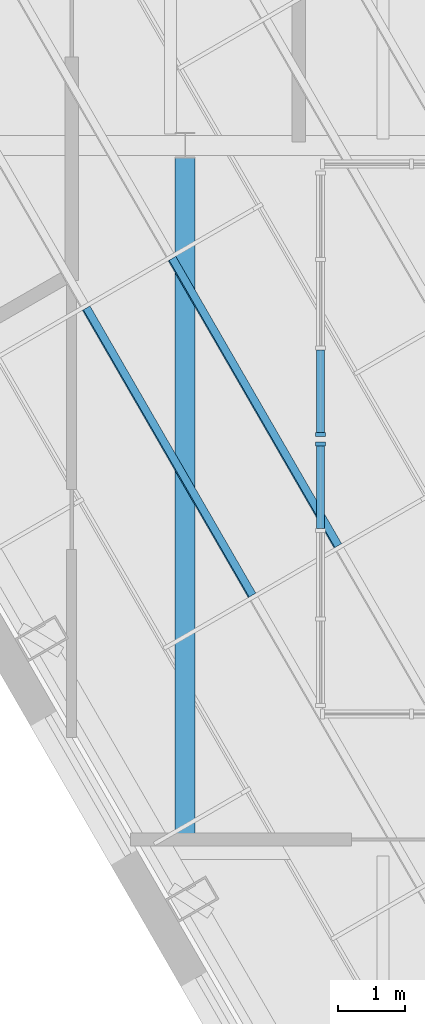
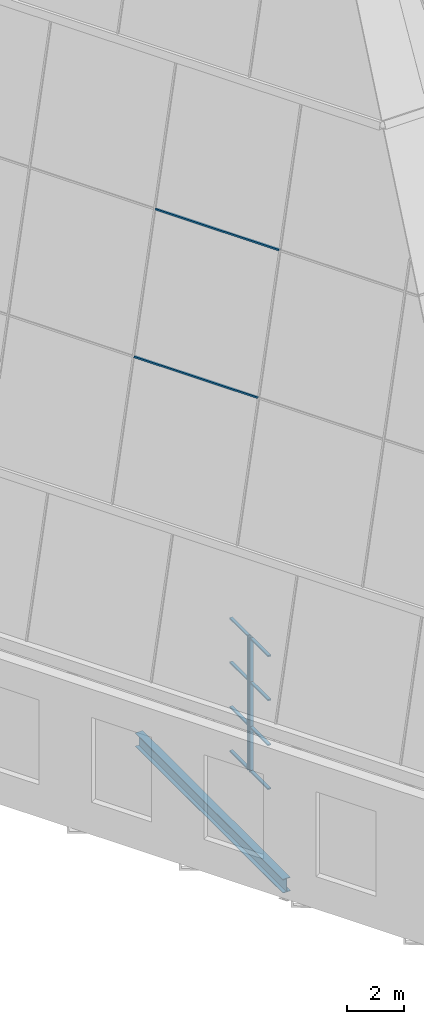
# One storey, part 4 of 36: 12 members, 1 beam, 3 elements without a shape of their own.
"""IFC4 building model written with IfcOpenShell, lengths in metres."""

from ifc_helpers import new_model, si_unit, direction, frame, origin, origin_2d, place, context, subcontext, project, spatial, rectangle, i_section, extrude, material, layer, layer_set, material_profile, profile_set, type_object, element, aggregate, save


model = new_model("IFC4")

# Units and contexts
model_context = context("Model", 3, precision=1e-05, world=origin(), true_north=direction((0.0, 1.0)))
body_context = subcontext(model_context, "Body", "Model", "MODEL_VIEW")
ifc_project = project(units=[si_unit("LENGTHUNIT", "METRE"), si_unit("AREAUNIT", "SQUARE_METRE"), si_unit("VOLUMEUNIT", "CUBIC_METRE"), si_unit("PLANEANGLEUNIT", "RADIAN"), si_unit("MASSUNIT", "GRAM", prefix="KILO")], contexts=[model_context])

# Site, building, storey
site_placement = place(None, origin())
site = spatial("IfcSite", under=ifc_project, at=site_placement, CompositionType="ELEMENT")
building_placement = place(site_placement, origin())
building = spatial("IfcBuilding", under=site, at=building_placement, Name="Njiva Tower", CompositionType="ELEMENT")
storey_placement = place(building_placement, frame((0.0, 0.0, 337.8)))
storey = spatial("IfcBuildingStorey", under=building, at=storey_placement, Name="L77", CompositionType="ELEMENT", Elevation=337.8)

# Beam
ifc_material_1 = material(Name="Steel S355 J2", Category="steel")
ifc_material_profile_1 = material_profile(ifc_material_1, i_section(OverallWidth=0.3, OverallDepth=0.59, WebThickness=0.013, FlangeThickness=0.025, at=origin_2d()), Name="HEA 600")
ifc_profile_set_1 = profile_set([ifc_material_profile_1], Name="Steel S355 J2")
beam_type = type_object("IfcBeamType", Name="B30 Long-span atrium trimmer beam HEA 600", PredefinedType="BEAM", material=ifc_profile_set_1)
beam_placement = place(storey_placement, frame((-6.15, -3.375, -0.495), z_axis=(0.0, -1.0, 0.0), x_axis=(1.0, 0.0, 0.0)))
element("IfcBeam", 1, at=beam_placement, inside=storey, type_object=beam_type, Name="Long-span atrium trimmer beam CR-B051", PredefinedType="BEAM", context=body_context, shape_type="SweptSolid", body=[
    extrude(i_section(OverallWidth=0.3, OverallDepth=0.59, WebThickness=0.013, FlangeThickness=0.025, at=origin_2d()), origin(), (0.0, 0.0, 1.0), 10.275),
])

# Curtain wall, members
ifc_material_2 = material(Name="Glazed curtain wall", Category="glass")
ifc_layer_1 = layer(ifc_material_2, 0.16)
ifc_layer_set_1 = layer_set([ifc_layer_1], Name="Glazed curtain wall")
curtain_wall_type_1 = type_object("IfcCurtainWallType", Name="CW2 Crown glazing, faceted point, long faces", PredefinedType="NOTDEFINED", material=ifc_layer_set_1)
curtain_wall_1_placement = place(storey_placement, origin())
curtain_wall_1 = element("IfcCurtainWall", 2, at=curtain_wall_1_placement, inside=storey, type_object=curtain_wall_type_1, Name="Crown glazing face SW tier 2", PredefinedType="NOTDEFINED")
ifc_material_3 = material(Name="Aluminium transom", Category="aluminium")
ifc_material_profile_2 = material_profile(ifc_material_3, rectangle(XDim=0.12, YDim=0.06, at=origin_2d()), Name="RECT 120x60")
ifc_profile_set_2 = profile_set([ifc_material_profile_2], Name="Aluminium transom")
member_type_1 = type_object("IfcMemberType", Name="CW2-T Crown glazing transom 120x60", PredefinedType="USERDEFINED", material=ifc_profile_set_2)
member_1_placement = place(storey_placement, frame((-7.6334, -5.6378, 17.6202), z_axis=(0.500008699995, -0.866020380782, 0.0), x_axis=(-0.834717805426, -0.4819357304, 0.266428483965)))
member_1 = element("IfcMember", 3, at=member_1_placement, type_object=member_type_1, Name="CW2-32 transom 6.1", ObjectType="TRANSOM", PredefinedType="USERDEFINED", context=body_context, shape_type="SweptSolid", body=[
    extrude(rectangle(XDim=0.12, YDim=0.06, at=origin_2d()), origin(), (0.0, 0.0, 1.0), 4.9695),
])
member_2_placement = place(storey_placement, frame((-6.3478, -4.8956, 22.9905), z_axis=(0.500008699995, -0.866020380782, 0.0), x_axis=(-0.834717805426, -0.4819357304, 0.266428483965)))
member_2 = element("IfcMember", 4, at=member_2_placement, type_object=member_type_1, Name="CW2-32 transom 6.2", ObjectType="TRANSOM", PredefinedType="USERDEFINED", context=body_context, shape_type="SweptSolid", body=[
    extrude(rectangle(XDim=0.12, YDim=0.06, at=origin_2d()), origin(), (0.0, 0.0, 1.0), 4.9695),
])
aggregate(curtain_wall_1, [member_1, member_2])

# Curtain wall, member
ifc_layer_2 = layer(ifc_material_2, 0.2)
ifc_layer_set_2 = layer_set([ifc_layer_2], Name="Glazed curtain wall")
curtain_wall_type_2 = type_object("IfcCurtainWallType", Name="CW5 Atrium lantern glazing", PredefinedType="NOTDEFINED", material=ifc_layer_set_2)
curtain_wall_2_placement = place(storey_placement, origin())
curtain_wall_2 = element("IfcCurtainWall", 5, at=curtain_wall_2_placement, inside=storey, type_object=curtain_wall_type_2, Name="Atrium lantern west 1", PredefinedType="NOTDEFINED")
ifc_material_4 = material(Name="Aluminium mullion", Category="aluminium")
ifc_material_profile_3 = material_profile(ifc_material_4, rectangle(XDim=0.15, YDim=0.06, at=origin_2d()), Name="RECT 150x60")
ifc_profile_set_3 = profile_set([ifc_material_profile_3], Name="Aluminium mullion")
member_type_2 = type_object("IfcMemberType", Name="CW5-M Lantern mullion 150x60", PredefinedType="MULLION", material=ifc_profile_set_3)
member_3_placement = place(storey_placement, frame((-4.12, -7.67, 0.0), z_axis=(0.0, 0.0, 1.0), x_axis=(-1.0, 0.0, 0.0)))
member_3 = element("IfcMember", 6, at=member_3_placement, type_object=member_type_2, Name="CW5-5 mullion 4", PredefinedType="MULLION", context=body_context, shape_type="SweptSolid", body=[
    extrude(rectangle(XDim=0.15, YDim=0.06, at=origin_2d()), origin(), (0.0, 0.0, 1.0), 5.7),
])

curtain_wall_3_placement = place(storey_placement, origin())
curtain_wall_3 = element("IfcCurtainWall", 7, at=curtain_wall_3_placement, inside=storey, type_object=curtain_wall_type_2, Name="Atrium lantern west 2", PredefinedType="NOTDEFINED")
member_4_placement = place(storey_placement, frame((-4.12, -7.53, 0.0), z_axis=(0.0, 0.0, 1.0), x_axis=(-1.0, 0.0, 0.0)))
member_4 = element("IfcMember", 8, at=member_4_placement, type_object=member_type_2, Name="CW5-6 mullion 1", PredefinedType="MULLION", context=body_context, shape_type="SweptSolid", body=[
    extrude(rectangle(XDim=0.15, YDim=0.06, at=origin_2d()), origin(), (0.0, 0.0, 1.0), 5.7),
])

# Member
ifc_material_profile_4 = material_profile(ifc_material_3, rectangle(XDim=0.12, YDim=0.06, at=origin_2d()), Name="RECT 120x60")
ifc_profile_set_4 = profile_set([ifc_material_profile_4], Name="Aluminium transom")
member_type_3 = type_object("IfcMemberType", Name="CW5-T Lantern transom 120x60", PredefinedType="USERDEFINED", material=ifc_profile_set_4)
member_5_placement = place(storey_placement, frame((-4.12, -8.9367, 0.03), z_axis=(0.0, 1.0, 0.0), x_axis=(-1.0, 0.0, 0.0)))
member_5 = element("IfcMember", 9, at=member_5_placement, type_object=member_type_3, Name="CW5-5 transom 3.1", ObjectType="TRANSOM", PredefinedType="USERDEFINED", context=body_context, shape_type="SweptSolid", body=[
    extrude(rectangle(XDim=0.12, YDim=0.06, at=origin_2d()), origin(), (0.0, 0.0, 1.0), 1.2367),
])

member_6_placement = place(storey_placement, frame((-4.12, -8.9367, 1.9), z_axis=(0.0, 1.0, 0.0), x_axis=(-1.0, 0.0, 0.0)))
member_6 = element("IfcMember", 10, at=member_6_placement, type_object=member_type_3, Name="CW5-5 transom 3.2", ObjectType="TRANSOM", PredefinedType="USERDEFINED", context=body_context, shape_type="SweptSolid", body=[
    extrude(rectangle(XDim=0.12, YDim=0.06, at=origin_2d()), origin(), (0.0, 0.0, 1.0), 1.2367),
])

member_7_placement = place(storey_placement, frame((-4.12, -8.9367, 3.8), z_axis=(0.0, 1.0, 0.0), x_axis=(-1.0, 0.0, 0.0)))
member_7 = element("IfcMember", 11, at=member_7_placement, type_object=member_type_3, Name="CW5-5 transom 3.3", ObjectType="TRANSOM", PredefinedType="USERDEFINED", context=body_context, shape_type="SweptSolid", body=[
    extrude(rectangle(XDim=0.12, YDim=0.06, at=origin_2d()), origin(), (0.0, 0.0, 1.0), 1.2367),
])

member_8_placement = place(storey_placement, frame((-4.12, -8.9367, 5.67), z_axis=(0.0, 1.0, 0.0), x_axis=(-1.0, 0.0, 0.0)))
member_8 = element("IfcMember", 12, at=member_8_placement, type_object=member_type_3, Name="CW5-5 transom 3.4", ObjectType="TRANSOM", PredefinedType="USERDEFINED", context=body_context, shape_type="SweptSolid", body=[
    extrude(rectangle(XDim=0.12, YDim=0.06, at=origin_2d()), origin(), (0.0, 0.0, 1.0), 1.2367),
])

aggregate(curtain_wall_2, [member_3, member_5, member_6, member_7, member_8])

member_9_placement = place(storey_placement, frame((-4.12, -7.5, 0.03), z_axis=(0.0, 1.0, 0.0), x_axis=(-1.0, 0.0, 0.0)))
member_9 = element("IfcMember", 13, at=member_9_placement, type_object=member_type_3, Name="CW5-6 transom 1.1", ObjectType="TRANSOM", PredefinedType="USERDEFINED", context=body_context, shape_type="SweptSolid", body=[
    extrude(rectangle(XDim=0.12, YDim=0.06, at=origin_2d()), origin(), (0.0, 0.0, 1.0), 1.2367),
])

member_10_placement = place(storey_placement, frame((-4.12, -7.5, 1.9), z_axis=(0.0, 1.0, 0.0), x_axis=(-1.0, 0.0, 0.0)))
member_10 = element("IfcMember", 14, at=member_10_placement, type_object=member_type_3, Name="CW5-6 transom 1.2", ObjectType="TRANSOM", PredefinedType="USERDEFINED", context=body_context, shape_type="SweptSolid", body=[
    extrude(rectangle(XDim=0.12, YDim=0.06, at=origin_2d()), origin(), (0.0, 0.0, 1.0), 1.2367),
])

member_11_placement = place(storey_placement, frame((-4.12, -7.5, 3.8), z_axis=(0.0, 1.0, 0.0), x_axis=(-1.0, 0.0, 0.0)))
member_11 = element("IfcMember", 15, at=member_11_placement, type_object=member_type_3, Name="CW5-6 transom 1.3", ObjectType="TRANSOM", PredefinedType="USERDEFINED", context=body_context, shape_type="SweptSolid", body=[
    extrude(rectangle(XDim=0.12, YDim=0.06, at=origin_2d()), origin(), (0.0, 0.0, 1.0), 1.2367),
])

member_12_placement = place(storey_placement, frame((-4.12, -7.5, 5.67), z_axis=(0.0, 1.0, 0.0), x_axis=(-1.0, 0.0, 0.0)))
member_12 = element("IfcMember", 16, at=member_12_placement, type_object=member_type_3, Name="CW5-6 transom 1.4", ObjectType="TRANSOM", PredefinedType="USERDEFINED", context=body_context, shape_type="SweptSolid", body=[
    extrude(rectangle(XDim=0.12, YDim=0.06, at=origin_2d()), origin(), (0.0, 0.0, 1.0), 1.2367),
])

aggregate(curtain_wall_3, [member_4, member_9, member_10, member_11, member_12])

save(model, "model.ifc")
